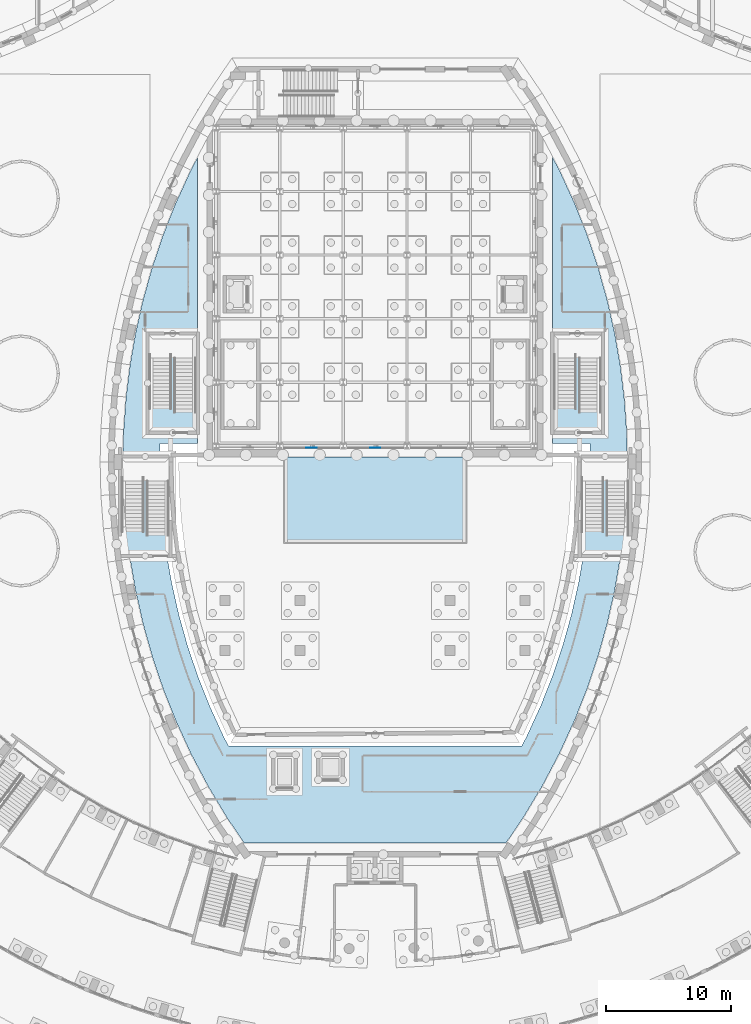
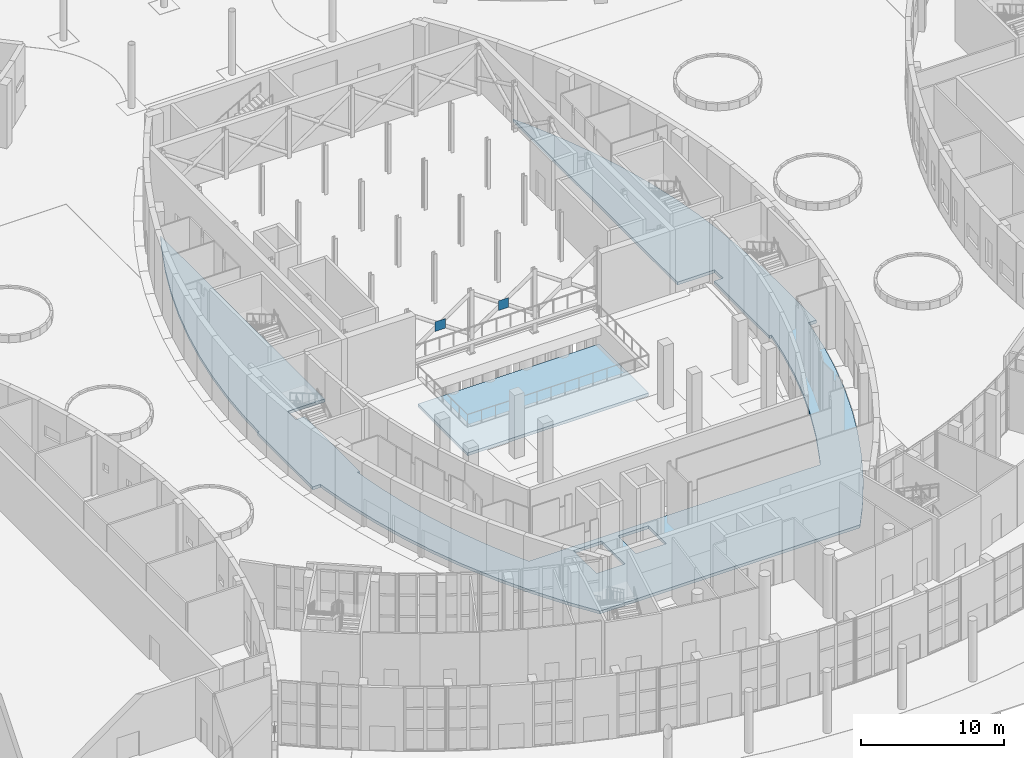
# One storey, part 34 of 82: 2 plates, 2 slabs.
"""IFC4 building model written with IfcOpenShell, lengths in metres."""

import ifcopenshell
import ifcopenshell.guid

model = None  # the IFC model being written
_history = None  # IfcOwnerHistory: only IFC2X3 demands one
_inside = {}  # id of a spatial element -> (the spatial element, [elements in it])
_under = {}  # id of a project, library or spatial element -> (it, [spatial elements below it])
_declared = {}  # id of a project -> (the project, [libraries it declares])
_typed = {}  # id of a type object -> (the type object, [elements of that type])
_made_of = {}  # id of a material, layer set ... -> (it, [elements and type objects made of it])


def new_model(schema):
    """Start an empty IFC model of exactly this schema.

    Asked for "IFC4X3", IfcOpenShell would pick the latest addendum, in which some entities
    have other attributes; the version numbers below select the first issue.
    IFC2X3 requires an IfcOwnerHistory on every rooted entity: one is made here for all.
    """
    global model, _history
    if schema == "IFC4X3":
        model = ifcopenshell.file(schema_version=(4, 3, 0, 0))
    else:
        model = ifcopenshell.file(schema=schema)
    _inside.clear()
    _under.clear()
    _declared.clear()
    _typed.clear()
    _made_of.clear()
    _history = None
    if model.schema == "IFC2X3":
        org = make("IfcOrganization", Name="unknown")
        user = make(
            "IfcPersonAndOrganization",
            ThePerson=make("IfcPerson", FamilyName="unknown"),
            TheOrganization=org,
        )
        app = make(
            "IfcApplication",
            ApplicationDeveloper=org,
            Version="unknown",
            ApplicationFullName="unknown",
            ApplicationIdentifier="unknown",
        )
        _history = make(
            "IfcOwnerHistory",
            OwningUser=user,
            OwningApplication=app,
            ChangeAction="ADDED",
            CreationDate=0,
        )
    return model


def make(cls, **values):
    """One entity of the class cls with the attributes given. An attribute that is None is left unset."""
    return model.create_entity(
        cls, **{name: value for name, value in values.items() if value is not None}
    )


def rooted(cls, **values):
    """An entity with a GlobalId (a new one), such as an element, a storey or a relation."""
    return make(cls, GlobalId=ifcopenshell.guid.new(), OwnerHistory=_history, **values)


def si_unit(unit_type, name, prefix=None):
    """IfcSIUnit, for example si_unit("LENGTHUNIT", "METRE", prefix="MILLI")."""
    return make("IfcSIUnit", UnitType=unit_type, Prefix=prefix, Name=name)


def assignment(units):
    """IfcUnitAssignment: the units of a project."""
    return None if units is None else make("IfcUnitAssignment", Units=units)


def point(xyz):
    """IfcCartesianPoint."""
    return None if xyz is None else make("IfcCartesianPoint", Coordinates=xyz)


def direction(xyz):
    """IfcDirection."""
    return None if xyz is None else make("IfcDirection", DirectionRatios=xyz)


def frame(location, z_axis=None, x_axis=None):
    """IfcAxis2Placement3D, a coordinate frame: its origin and axes. An axis left out is left unset."""
    return make(
        "IfcAxis2Placement3D",
        Location=point(location),
        Axis=direction(z_axis),
        RefDirection=direction(x_axis),
    )


def frame_2d(location, x_axis=None):
    """IfcAxis2Placement2D, a coordinate frame in the plane: its origin and x axis."""
    return make(
        "IfcAxis2Placement2D", Location=point(location), RefDirection=direction(x_axis)
    )


def origin():
    """The frame at (0, 0, 0) with its axes left unset."""
    return frame((0.0, 0.0, 0.0))


def origin_2d():
    """The frame at (0, 0) in the plane with its x axis left unset."""
    return frame_2d((0.0, 0.0))


def place(relative_to, where):
    """IfcLocalPlacement: puts the frame where relative to a parent placement (None: the world)."""
    return make(
        "IfcLocalPlacement", PlacementRelTo=relative_to, RelativePlacement=where
    )


def context(
    kind, dimensions, precision=None, world=None, true_north=None, identifier=None
):
    """IfcGeometricRepresentationContext, for example the 3D "Model" context."""
    return make(
        "IfcGeometricRepresentationContext",
        ContextIdentifier=identifier,
        ContextType=kind,
        CoordinateSpaceDimension=dimensions,
        Precision=precision,
        WorldCoordinateSystem=world,
        TrueNorth=true_north,
    )


def subcontext(parent, identifier, kind, view, scale=None):
    """IfcGeometricRepresentationSubContext, for example "Body" below "Model"."""
    return make(
        "IfcGeometricRepresentationSubContext",
        ContextIdentifier=identifier,
        ContextType=kind,
        ParentContext=parent,
        TargetScale=scale,
        TargetView=view,
    )


def project(units=None, contexts=None):
    """IfcProject with its units and contexts."""
    return rooted(
        "IfcProject",
        Name="project",
        RepresentationContexts=contexts,
        UnitsInContext=assignment(units),
    )


def spatial(cls, under=None, at=None, **own):
    """A site, building, storey or space (cls), placed at a placement, below another one or the project."""
    s = rooted(cls, ObjectPlacement=at, **own)
    if under is not None:
        _under.setdefault(under.id(), (under, []))[1].append(s)
    return s


def polyline(points):
    """IfcPolyline through the points."""
    return make("IfcPolyline", Points=[point(p) for p in points])


def profile(cls, at=None, kind="AREA", **sizes):
    """A parametric profile (cls). Its sizes go by their IFC names, for example OverallWidth=200.0."""
    return make(cls, ProfileType=kind, Position=at, **sizes)


def rectangle(**sizes):
    """IfcRectangleProfileDef."""
    return profile("IfcRectangleProfileDef", **sizes)


def outline(outer, holes=None, kind="AREA"):
    """IfcArbitraryClosedProfileDef: a profile drawn as a closed curve; with holes, ...WithVoids."""
    if holes is None:
        return make("IfcArbitraryClosedProfileDef", ProfileType=kind, OuterCurve=outer)
    return make(
        "IfcArbitraryProfileDefWithVoids",
        ProfileType=kind,
        OuterCurve=outer,
        InnerCurves=holes,
    )


def extrude(swept, where, along, depth):
    """IfcExtrudedAreaSolid: the profile swept, set in the frame where, extruded along a direction by depth."""
    return make(
        "IfcExtrudedAreaSolid",
        SweptArea=swept,
        Position=where,
        ExtrudedDirection=direction(along),
        Depth=depth,
    )


def shape(context_of_items, identifier, shape_type, items):
    """IfcShapeRepresentation: the items that make up one representation, for example the "Body"."""
    return make(
        "IfcShapeRepresentation",
        ContextOfItems=context_of_items,
        RepresentationIdentifier=identifier,
        RepresentationType=shape_type,
        Items=items,
    )


def material(Name=None, Category=None):
    """IfcMaterial."""
    return make("IfcMaterial", Name=Name, Category=Category)


def layer(
    of_material, thickness, ventilated=None, Name=None, Category=None, Priority=None
):
    """IfcMaterialLayer: one layer of a wall or slab, of a material (None: an air gap)."""
    return make(
        "IfcMaterialLayer",
        Material=of_material,
        LayerThickness=thickness,
        IsVentilated=ventilated,
        Name=Name,
        Category=Category,
        Priority=Priority,
    )


def layer_set(layers, Name=None):
    """IfcMaterialLayerSet."""
    return make("IfcMaterialLayerSet", MaterialLayers=layers, LayerSetName=Name)


def made_of(thing, what):
    """Note that an element or type object is made of a material, layer set ...; save() writes the relation."""
    if what is not None:
        _made_of.setdefault(what.id(), (what, []))[1].append(thing)
    return thing


def type_object(cls, material=None, **own):
    """A type object (cls), such as IfcWallType, which elements share."""
    return made_of(rooted(cls, **own), material)


def element(
    cls,
    number,
    at=None,
    inside=None,
    cuts=None,
    type_object=None,
    material=None,
    context=None,
    identifier="Body",
    shape_type=None,
    held_by="IfcProductDefinitionShape",
    body=None,
    shapes=None,
    **own,
):
    """One element of the class cls, such as IfcWall. Its Tag is "e" and its number.

    at: its placement. inside: the storey or other place that contains it. cuts: it is an
    opening in that element (IfcRelVoidsElement). A single representation is given by context,
    identifier, shape_type and body (its items); several are given by shapes. held_by: the class
    of the entity that holds the representations. save() writes the other relations.
    """
    e = rooted(cls, Tag="e%d" % number, ObjectPlacement=at, **own)
    if body is not None:
        shapes = [shape(context, identifier, shape_type, body)]
    if shapes is not None:
        e.Representation = make(held_by, Representations=shapes)
    if inside is not None:
        _inside.setdefault(inside.id(), (inside, []))[1].append(e)
    if cuts is not None:
        rooted(
            "IfcRelVoidsElement", RelatingBuildingElement=cuts, RelatedOpeningElement=e
        )
    if type_object is not None:
        _typed.setdefault(type_object.id(), (type_object, []))[1].append(e)
    return made_of(e, material)


def aggregate(whole, parts):
    """IfcRelAggregates: a whole, such as a stair, and the parts it consists of."""
    return rooted("IfcRelAggregates", RelatingObject=whole, RelatedObjects=parts)


def save(model, path):
    """Write the relations noted so far, then the file.

    IfcRelAggregates (storeys below a building ...), IfcRelContainedInSpatialStructure (elements
    in a storey), IfcRelDefinesByType, IfcRelAssociatesMaterial and IfcRelDeclares: one each for
    every whole, place, type object, material and project.
    """
    for whole, parts in _under.values():
        aggregate(whole, parts)
    for where, things in _inside.values():
        rooted(
            "IfcRelContainedInSpatialStructure",
            RelatedElements=things,
            RelatingStructure=where,
        )
    for kind, things in _typed.values():
        rooted("IfcRelDefinesByType", RelatedObjects=things, RelatingType=kind)
    for what, things in _made_of.values():
        rooted("IfcRelAssociatesMaterial", RelatedObjects=things, RelatingMaterial=what)
    for by, libraries in _declared.values():
        rooted("IfcRelDeclares", RelatingContext=by, RelatedDefinitions=libraries)
    model.write(path)


model = new_model("IFC4")

# Units and contexts
model_context = context("Model", 3, precision=1e-05, world=origin(), true_north=direction((0.0, 1.0)))
body_context = subcontext(model_context, "Body", "Model", "MODEL_VIEW")
ifc_project = project(units=[si_unit("LENGTHUNIT", "METRE"), si_unit("AREAUNIT", "SQUARE_METRE"), si_unit("VOLUMEUNIT", "CUBIC_METRE"), si_unit("PLANEANGLEUNIT", "RADIAN"), si_unit("MASSUNIT", "GRAM", prefix="KILO")], contexts=[model_context])

# Site, building, storey
site_placement = place(None, origin())
site = spatial("IfcSite", under=ifc_project, at=site_placement, CompositionType="ELEMENT")
building_placement = place(site_placement, origin())
building = spatial("IfcBuilding", under=site, at=building_placement, Name="Tide Square Theatres", CompositionType="ELEMENT")
storey_placement = place(building_placement, origin())
storey = spatial("IfcBuildingStorey", under=building, at=storey_placement, Name="L00", CompositionType="ELEMENT", Elevation=0.0)

# Slabs
ifc_material_1 = material(Name="Concrete C35", Category="concrete")
ifc_layer_1 = layer(ifc_material_1, 0.25)
ifc_layer_set_1 = layer_set([ifc_layer_1], Name="Concrete C35")
slab_type = type_object("IfcSlabType", Name="RC baseslab slab 250", PredefinedType="BASESLAB", material=ifc_layer_set_1)
slab_1_placement = place(storey_placement, frame((0.0, 0.0, -0.25)))
element("IfcSlab", 1, at=slab_1_placement, inside=storey, type_object=slab_type, Name="Ground slab", PredefinedType="BASESLAB", context=body_context, shape_type="SweptSolid", body=[
    extrude(outline(polyline([(69.800048828125, 56.449951171875), (69.800048828125, 79.38525390625), (69.2509765625, 78.344970703125), (68.01416015625, 75.644287109375), (67.022216796875, 73.12939453125), (66.15966796875, 70.565673828125), (65.42919921875, 67.961181640625), (64.833251953125, 65.322265625), (64.388671875, 62.763916015625), (64.0703125, 60.186279296875), (63.879150390625, 57.59619140625), (63.82275390625, 55.300048828125), (63.699951171875, 55.300048828125), (63.699951171875, 47.60009765625), (64.34375, 47.60009765625), (64.388671875, 47.236083984375), (64.833251953125, 44.677734375), (65.42919921875, 42.038818359375), (66.15966796875, 39.434326171875), (67.022216796875, 36.87060546875), (68.01416015625, 34.355712890625), (69.2509765625, 31.655029296875), (70.63671875, 29.029296875), (72.167724609375, 26.485595703125), (73.51513671875, 24.507568359375), (94.48486328125, 24.507568359375), (95.832275390625, 26.485595703125), (97.36328125, 29.029296875), (98.7490234375, 31.655029296875), (99.98583984375, 34.355712890625), (100.977783203125, 36.87060546875), (101.84033203125, 39.434326171875), (102.57080078125, 42.038818359375), (103.166748046875, 44.677734375), (103.611328125, 47.236083984375), (103.65625, 47.60009765625), (104.300048828125, 47.60009765625), (104.300048828125, 55.300048828125), (104.17724609375, 55.300048828125), (104.120849609375, 57.59619140625), (103.9296875, 60.186279296875), (103.611328125, 62.763916015625), (103.166748046875, 65.322265625), (102.57080078125, 67.961181640625), (101.84033203125, 70.565673828125), (100.977783203125, 73.12939453125), (99.98583984375, 75.644287109375), (98.7490234375, 78.344970703125), (98.199951171875, 79.38525390625), (98.199951171875, 56.449951171875), (101.1982421875, 56.449951171875), (101.226318359375, 55.300048828125), (100.5, 55.300048828125), (100.5, 47.60009765625), (100.680419921875, 47.60009765625), (100.27294921875, 45.255615234375), (99.709716796875, 42.762451171875), (99.020263671875, 40.303466796875), (98.205810546875, 37.8828125), (97.2705078125, 35.511962890625), (96.101318359375, 32.95849609375), (95.727294921875, 32.25), (72.272705078125, 32.25), (71.898681640625, 32.95849609375), (70.7294921875, 35.511962890625), (69.794189453125, 37.8828125), (68.979736328125, 40.303466796875), (68.290283203125, 42.762451171875), (67.72705078125, 45.255615234375), (67.319580078125, 47.60009765625), (67.5, 47.60009765625), (67.5, 55.300048828125), (66.773681640625, 55.300048828125), (66.8017578125, 56.449951171875), (69.800048828125, 56.449951171875)]), holes=[polyline([(75.60009765625, 28.60009765625), (77.89990234375, 28.60009765625), (77.89990234375, 31.800048828125), (75.60009765625, 31.800048828125), (75.60009765625, 28.60009765625)]), polyline([(79.199951171875, 31.800048828125), (79.199951171875, 29.300048828125), (81.64990234375, 29.300048828125), (81.64990234375, 31.800048828125), (79.199951171875, 31.800048828125)])]), origin(), (0.0, 0.0, 1.0), 0.25),
])
slab_2_placement = place(storey_placement, frame((0.0, 0.0, -2.449951171875)))
element("IfcSlab", 2, at=slab_2_placement, inside=storey, type_object=slab_type, Name="Orchestra pit floor slab", PredefinedType="BASESLAB", context=body_context, shape_type="SweptSolid", body=[
    extrude(outline(polyline([(76.699951171875, 48.5), (91.300048828125, 48.5), (91.300048828125, 55.39990234375), (76.699951171875, 55.39990234375), (76.699951171875, 48.5)])), origin(), (0.0, 0.0, 1.0), 0.25),
])

# Plates
ifc_material_2 = material(Name="Steel ASTM A572 Grade 50", Category="steel")
ifc_layer_2 = layer(ifc_material_2, 0.010009765625)
ifc_layer_set_2 = layer_set([ifc_layer_2], Name="Steel ASTM A572 Grade 50")
plate_type = type_object("IfcPlateType", Name="Steel end plate 10 thick", PredefinedType="USERDEFINED", material=ifc_layer_set_2)
for number, where, z_axis, x_axis, name in (
    (3, (78.910400390625, 56.136474609375, 2.890625), (0.0, 0.0, 1.0), (0.0, -1.0, 0.0), "Fly tower brace crossing node plate"),
    (4, (84.0, 56.136474609375, 2.890625), (0.0, 0.0, 1.0), (0.0, -1.0, 0.0), "Fly tower brace crossing node plate"),
):
    element("IfcPlate", number, at=place(storey_placement, frame(where, z_axis=z_axis, x_axis=x_axis)), inside=storey, type_object=plate_type, Name=name, ObjectType="END PLATE", PredefinedType="USERDEFINED", context=body_context, shape_type="SweptSolid", body=[
        extrude(rectangle(XDim=0.010009765625, YDim=0.819091796875, at=origin_2d()), origin(), (0.0, 0.0, 1.0), 0.819091796875),
    ])

save(model, "model.ifc")
